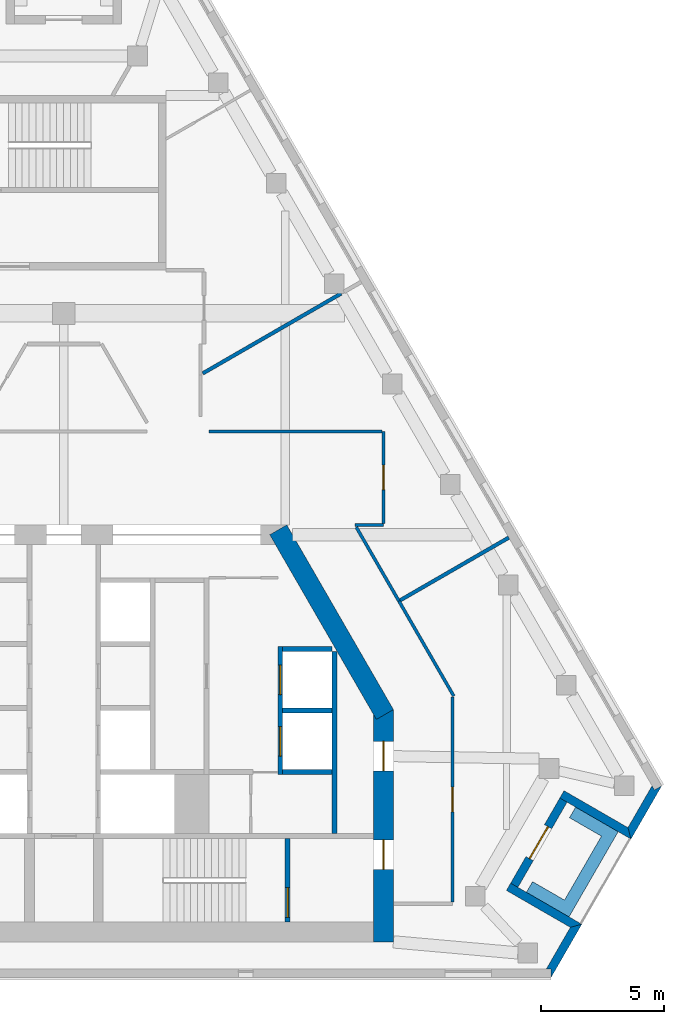
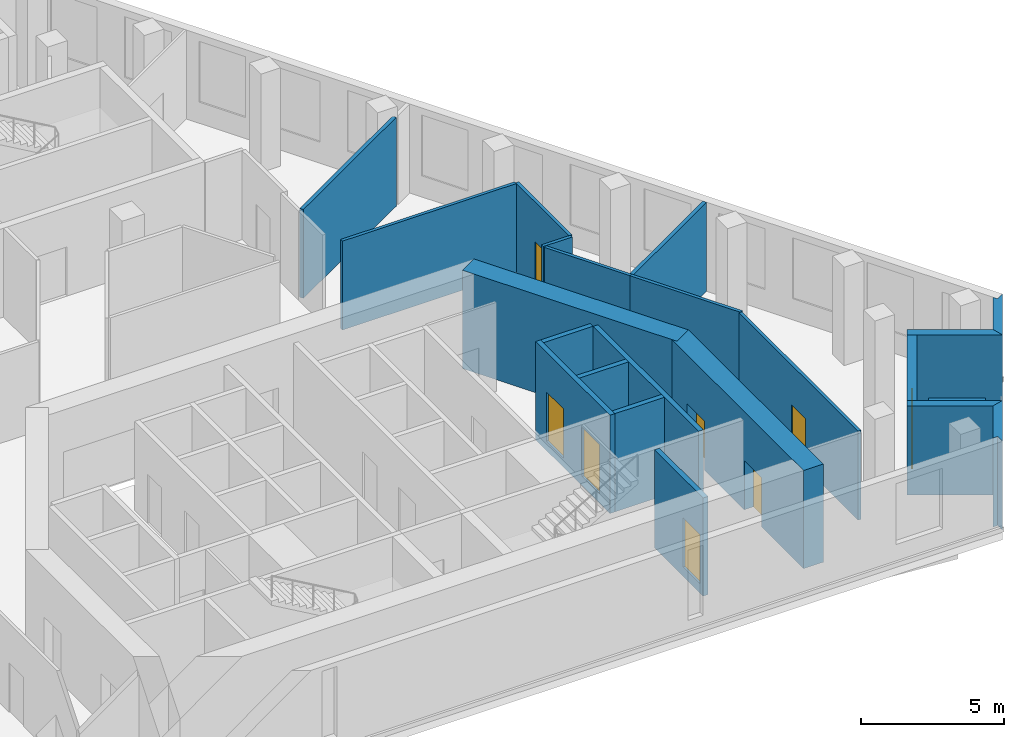
# One storey, part 5 of 8: 22 walls, 8 doors, 8 openings.
"""IFC4 building model written with IfcOpenShell, lengths in metres."""

import ifcopenshell
import ifcopenshell.guid

model = None  # the IFC model being written
_history = None  # IfcOwnerHistory: only IFC2X3 demands one
_inside = {}  # id of a spatial element -> (the spatial element, [elements in it])
_under = {}  # id of a project, library or spatial element -> (it, [spatial elements below it])
_declared = {}  # id of a project -> (the project, [libraries it declares])
_typed = {}  # id of a type object -> (the type object, [elements of that type])
_made_of = {}  # id of a material, layer set ... -> (it, [elements and type objects made of it])


def new_model(schema):
    """Start an empty IFC model of exactly this schema.

    Asked for "IFC4X3", IfcOpenShell would pick the latest addendum, in which some entities
    have other attributes; the version numbers below select the first issue.
    IFC2X3 requires an IfcOwnerHistory on every rooted entity: one is made here for all.
    """
    global model, _history
    if schema == "IFC4X3":
        model = ifcopenshell.file(schema_version=(4, 3, 0, 0))
    else:
        model = ifcopenshell.file(schema=schema)
    _inside.clear()
    _under.clear()
    _declared.clear()
    _typed.clear()
    _made_of.clear()
    _history = None
    if model.schema == "IFC2X3":
        org = make("IfcOrganization", Name="unknown")
        user = make(
            "IfcPersonAndOrganization",
            ThePerson=make("IfcPerson", FamilyName="unknown"),
            TheOrganization=org,
        )
        app = make(
            "IfcApplication",
            ApplicationDeveloper=org,
            Version="unknown",
            ApplicationFullName="unknown",
            ApplicationIdentifier="unknown",
        )
        _history = make(
            "IfcOwnerHistory",
            OwningUser=user,
            OwningApplication=app,
            ChangeAction="ADDED",
            CreationDate=0,
        )
    return model


def make(cls, **values):
    """One entity of the class cls with the attributes given. An attribute that is None is left unset."""
    return model.create_entity(
        cls, **{name: value for name, value in values.items() if value is not None}
    )


def rooted(cls, **values):
    """An entity with a GlobalId (a new one), such as an element, a storey or a relation."""
    return make(cls, GlobalId=ifcopenshell.guid.new(), OwnerHistory=_history, **values)


def si_unit(unit_type, name, prefix=None):
    """IfcSIUnit, for example si_unit("LENGTHUNIT", "METRE", prefix="MILLI")."""
    return make("IfcSIUnit", UnitType=unit_type, Prefix=prefix, Name=name)


def assignment(units):
    """IfcUnitAssignment: the units of a project."""
    return None if units is None else make("IfcUnitAssignment", Units=units)


def point(xyz):
    """IfcCartesianPoint."""
    return None if xyz is None else make("IfcCartesianPoint", Coordinates=xyz)


def direction(xyz):
    """IfcDirection."""
    return None if xyz is None else make("IfcDirection", DirectionRatios=xyz)


def frame(location, z_axis=None, x_axis=None):
    """IfcAxis2Placement3D, a coordinate frame: its origin and axes. An axis left out is left unset."""
    return make(
        "IfcAxis2Placement3D",
        Location=point(location),
        Axis=direction(z_axis),
        RefDirection=direction(x_axis),
    )


def frame_2d(location, x_axis=None):
    """IfcAxis2Placement2D, a coordinate frame in the plane: its origin and x axis."""
    return make(
        "IfcAxis2Placement2D", Location=point(location), RefDirection=direction(x_axis)
    )


def origin():
    """The frame at (0, 0, 0) with its axes left unset."""
    return frame((0.0, 0.0, 0.0))


def place(relative_to, where):
    """IfcLocalPlacement: puts the frame where relative to a parent placement (None: the world)."""
    return make(
        "IfcLocalPlacement", PlacementRelTo=relative_to, RelativePlacement=where
    )


def context(
    kind, dimensions, precision=None, world=None, true_north=None, identifier=None
):
    """IfcGeometricRepresentationContext, for example the 3D "Model" context."""
    return make(
        "IfcGeometricRepresentationContext",
        ContextIdentifier=identifier,
        ContextType=kind,
        CoordinateSpaceDimension=dimensions,
        Precision=precision,
        WorldCoordinateSystem=world,
        TrueNorth=true_north,
    )


def subcontext(parent, identifier, kind, view, scale=None):
    """IfcGeometricRepresentationSubContext, for example "Body" below "Model"."""
    return make(
        "IfcGeometricRepresentationSubContext",
        ContextIdentifier=identifier,
        ContextType=kind,
        ParentContext=parent,
        TargetScale=scale,
        TargetView=view,
    )


def project(units=None, contexts=None):
    """IfcProject with its units and contexts."""
    return rooted(
        "IfcProject",
        Name="project",
        RepresentationContexts=contexts,
        UnitsInContext=assignment(units),
    )


def spatial(cls, under=None, at=None, **own):
    """A site, building, storey or space (cls), placed at a placement, below another one or the project."""
    s = rooted(cls, ObjectPlacement=at, **own)
    if under is not None:
        _under.setdefault(under.id(), (under, []))[1].append(s)
    return s


def polyline(points):
    """IfcPolyline through the points."""
    return make("IfcPolyline", Points=[point(p) for p in points])


def profile(cls, at=None, kind="AREA", **sizes):
    """A parametric profile (cls). Its sizes go by their IFC names, for example OverallWidth=200.0."""
    return make(cls, ProfileType=kind, Position=at, **sizes)


def rectangle(**sizes):
    """IfcRectangleProfileDef."""
    return profile("IfcRectangleProfileDef", **sizes)


def outline(outer, holes=None, kind="AREA"):
    """IfcArbitraryClosedProfileDef: a profile drawn as a closed curve; with holes, ...WithVoids."""
    if holes is None:
        return make("IfcArbitraryClosedProfileDef", ProfileType=kind, OuterCurve=outer)
    return make(
        "IfcArbitraryProfileDefWithVoids",
        ProfileType=kind,
        OuterCurve=outer,
        InnerCurves=holes,
    )


def extrude(swept, where, along, depth):
    """IfcExtrudedAreaSolid: the profile swept, set in the frame where, extruded along a direction by depth."""
    return make(
        "IfcExtrudedAreaSolid",
        SweptArea=swept,
        Position=where,
        ExtrudedDirection=direction(along),
        Depth=depth,
    )


def shape(context_of_items, identifier, shape_type, items):
    """IfcShapeRepresentation: the items that make up one representation, for example the "Body"."""
    return make(
        "IfcShapeRepresentation",
        ContextOfItems=context_of_items,
        RepresentationIdentifier=identifier,
        RepresentationType=shape_type,
        Items=items,
    )


def material(Name=None, Category=None):
    """IfcMaterial."""
    return make("IfcMaterial", Name=Name, Category=Category)


def layer(
    of_material, thickness, ventilated=None, Name=None, Category=None, Priority=None
):
    """IfcMaterialLayer: one layer of a wall or slab, of a material (None: an air gap)."""
    return make(
        "IfcMaterialLayer",
        Material=of_material,
        LayerThickness=thickness,
        IsVentilated=ventilated,
        Name=Name,
        Category=Category,
        Priority=Priority,
    )


def layer_set(layers, Name=None):
    """IfcMaterialLayerSet."""
    return make("IfcMaterialLayerSet", MaterialLayers=layers, LayerSetName=Name)


def made_of(thing, what):
    """Note that an element or type object is made of a material, layer set ...; save() writes the relation."""
    if what is not None:
        _made_of.setdefault(what.id(), (what, []))[1].append(thing)
    return thing


def type_object(cls, material=None, **own):
    """A type object (cls), such as IfcWallType, which elements share."""
    return made_of(rooted(cls, **own), material)


def element(
    cls,
    number,
    at=None,
    inside=None,
    cuts=None,
    type_object=None,
    material=None,
    context=None,
    identifier="Body",
    shape_type=None,
    held_by="IfcProductDefinitionShape",
    body=None,
    shapes=None,
    **own,
):
    """One element of the class cls, such as IfcWall. Its Tag is "e" and its number.

    at: its placement. inside: the storey or other place that contains it. cuts: it is an
    opening in that element (IfcRelVoidsElement). A single representation is given by context,
    identifier, shape_type and body (its items); several are given by shapes. held_by: the class
    of the entity that holds the representations. save() writes the other relations.
    """
    e = rooted(cls, Tag="e%d" % number, ObjectPlacement=at, **own)
    if body is not None:
        shapes = [shape(context, identifier, shape_type, body)]
    if shapes is not None:
        e.Representation = make(held_by, Representations=shapes)
    if inside is not None:
        _inside.setdefault(inside.id(), (inside, []))[1].append(e)
    if cuts is not None:
        rooted(
            "IfcRelVoidsElement", RelatingBuildingElement=cuts, RelatedOpeningElement=e
        )
    if type_object is not None:
        _typed.setdefault(type_object.id(), (type_object, []))[1].append(e)
    return made_of(e, material)


def fill(opening, filler):
    """IfcRelFillsElement: the door or window that sits in an opening."""
    return rooted(
        "IfcRelFillsElement",
        RelatingOpeningElement=opening,
        RelatedBuildingElement=filler,
    )


def aggregate(whole, parts):
    """IfcRelAggregates: a whole, such as a stair, and the parts it consists of."""
    return rooted("IfcRelAggregates", RelatingObject=whole, RelatedObjects=parts)


def save(model, path):
    """Write the relations noted so far, then the file.

    IfcRelAggregates (storeys below a building ...), IfcRelContainedInSpatialStructure (elements
    in a storey), IfcRelDefinesByType, IfcRelAssociatesMaterial and IfcRelDeclares: one each for
    every whole, place, type object, material and project.
    """
    for whole, parts in _under.values():
        aggregate(whole, parts)
    for where, things in _inside.values():
        rooted(
            "IfcRelContainedInSpatialStructure",
            RelatedElements=things,
            RelatingStructure=where,
        )
    for kind, things in _typed.values():
        rooted("IfcRelDefinesByType", RelatedObjects=things, RelatingType=kind)
    for what, things in _made_of.values():
        rooted("IfcRelAssociatesMaterial", RelatedObjects=things, RelatingMaterial=what)
    for by, libraries in _declared.values():
        rooted("IfcRelDeclares", RelatingContext=by, RelatedDefinitions=libraries)
    model.write(path)


model = new_model("IFC4")

# Units and contexts
model_context = context("Model", 3, precision=1e-05, world=origin(), true_north=direction((0.0, 1.0)))
body_context = subcontext(model_context, "Body", "Model", "MODEL_VIEW")
ifc_project = project(units=[si_unit("LENGTHUNIT", "METRE"), si_unit("AREAUNIT", "SQUARE_METRE"), si_unit("VOLUMEUNIT", "CUBIC_METRE"), si_unit("PLANEANGLEUNIT", "RADIAN"), si_unit("MASSUNIT", "GRAM", prefix="KILO")], contexts=[model_context])

# Site, building, storey
site_placement = place(None, origin())
site = spatial("IfcSite", under=ifc_project, at=site_placement, CompositionType="ELEMENT")
building_placement = place(site_placement, origin())
building = spatial("IfcBuilding", under=site, at=building_placement, Name="Fogline Exchange Tower", CompositionType="ELEMENT")
storey_placement = place(building_placement, frame((0.0, 0.0, 322.5)))
storey = spatial("IfcBuildingStorey", under=building, at=storey_placement, Name="L73", CompositionType="ELEMENT", Elevation=322.5)

# Wall
ifc_material_1 = material(Name="Concrete C40", Category="concrete")
ifc_layer_1 = layer(ifc_material_1, 0.199951171875)
ifc_layer_set_1 = layer_set([ifc_layer_1], Name="CW20")
wall_type_1 = type_object("IfcWallType", Name="CW20", PredefinedType="SOLIDWALL", material=ifc_layer_set_1)
wall_1_placement = place(storey_placement, frame((11.0, 5.85009765625, 0.0), z_axis=(0.0, 0.0, 1.0), x_axis=(0.0, 1.0, 0.0)))
element("IfcWall", 1, at=wall_1_placement, inside=storey, type_object=wall_type_1, Name="Service room wall", PredefinedType="SOLIDWALL", context=body_context, shape_type="SweptSolid", body=[
    extrude(rectangle(XDim=7.39990234375, YDim=0.199951171875, at=frame_2d((3.699951171875, 0.0))), origin(), (0.0, 0.0, 1.0), 3.800048828125),
])

# Wall, opening, door
ifc_layer_2 = layer(ifc_material_1, 0.199951171875)
ifc_layer_set_2 = layer_set([ifc_layer_2], Name="CW20R")
wall_type_2 = type_object("IfcWallType", Name="CW20R", PredefinedType="SOLIDWALL", material=ifc_layer_set_2)
wall_2_placement = place(storey_placement, frame((9.10009765625, 2.25, -0.39990234375), z_axis=(0.0, 0.0, 1.0), x_axis=(0.0, 1.0, 0.0)))
wall_2 = element("IfcWall", 2, at=wall_2_placement, inside=storey, type_object=wall_type_2, Name="Stair enclosure wall", PredefinedType="SOLIDWALL", context=body_context, shape_type="SweptSolid", body=[
    extrude(rectangle(XDim=3.39990234375, YDim=0.199951171875, at=frame_2d((1.699951171875, 0.0))), origin(), (0.0, 0.0, 1.0), 4.199951171875),
])
opening_1_placement = place(wall_2_placement, frame((0.199951171875, 0.0, 0.39990234375)))
opening_1 = element("IfcOpeningElement", 3, at=opening_1_placement, cuts=wall_2, Name="Opening T23-C021", PredefinedType="OPENING", context=body_context, shape_type="SweptSolid", body=[
    extrude(rectangle(XDim=1.199951171875, YDim=2.10009765625, at=frame_2d((0.60009765625, 1.050048828125))), frame((0.0, 0.10986328125, 0.0), z_axis=(0.0, -1.0, 0.0), x_axis=(1.0, 0.0, 0.0)), (0.0, 0.0, 1.0), 0.219970703125),
])
ifc_material_2 = material(Name="Steel and timber fire door", Category="steel")
door_type_1 = type_object("IfcDoorType", Name="D-ST1", OperationType="SINGLE_SWING_LEFT", PredefinedType="DOOR", material=ifc_material_2)
door_1_placement = place(opening_1_placement, origin())
door_1 = element("IfcDoor", 4, at=door_1_placement, inside=storey, type_object=door_type_1, Name="Stair door ST2", OperationType="SINGLE_SWING_LEFT", OverallHeight=2.10009765625, OverallWidth=1.199951171875, PredefinedType="DOOR", context=body_context, shape_type="SweptSolid", body=[
    extrude(rectangle(XDim=1.199951171875, YDim=2.10009765625, at=frame_2d((0.60009765625, 1.050048828125))), frame((0.0, 0.02490234375, 0.0), z_axis=(0.0, -1.0, 0.0), x_axis=(1.0, 0.0, 0.0)), (0.0, 0.0, 1.0), 0.050048828125),
])
fill(opening_1, door_1)

# Wall, openings, doors
ifc_layer_3 = layer(ifc_material_1, 0.199951171875)
ifc_layer_set_3 = layer_set([ifc_layer_3], Name="CW20S")
wall_type_3 = type_object("IfcWallType", Name="CW20S", PredefinedType="SOLIDWALL", material=ifc_layer_set_3)
wall_3_placement = place(storey_placement, frame((8.800048828125, 8.25, -0.39990234375), z_axis=(0.0, 0.0, 1.0), x_axis=(0.0, 1.0, 0.0)))
wall_3 = element("IfcWall", 5, at=wall_3_placement, inside=storey, type_object=wall_type_3, Name="Lift shaft wall", PredefinedType="SOLIDWALL", context=body_context, shape_type="SweptSolid", body=[
    extrude(rectangle(XDim=5.199951171875, YDim=0.199951171875, at=frame_2d((2.60009765625, 0.0))), origin(), (0.0, 0.0, 1.0), 4.199951171875),
])
opening_2_placement = place(wall_3_placement, frame((0.75, 0.0, 0.39990234375)))
opening_2 = element("IfcOpeningElement", 6, at=opening_2_placement, cuts=wall_3, Name="Opening T23-LD02", PredefinedType="OPENING", context=body_context, shape_type="SweptSolid", body=[
    extrude(rectangle(XDim=1.199951171875, YDim=2.10009765625, at=frame_2d((0.60009765625, 1.050048828125))), frame((0.0, 0.10986328125, 0.0), z_axis=(0.0, -1.0, 0.0), x_axis=(1.0, 0.0, 0.0)), (0.0, 0.0, 1.0), 0.219970703125),
])
opening_3_placement = place(wall_3_placement, frame((3.25, 0.0, 0.39990234375)))
opening_3 = element("IfcOpeningElement", 7, at=opening_3_placement, cuts=wall_3, Name="Opening T23-LD03", PredefinedType="OPENING", context=body_context, shape_type="SweptSolid", body=[
    extrude(rectangle(XDim=1.199951171875, YDim=2.10009765625, at=frame_2d((0.60009765625, 1.050048828125))), frame((0.0, 0.10986328125, 0.0), z_axis=(0.0, -1.0, 0.0), x_axis=(1.0, 0.0, 0.0)), (0.0, 0.0, 1.0), 0.219970703125),
])
door_type_2 = type_object("IfcDoorType", Name="LD1", OperationType="SLIDING_TO_LEFT", PredefinedType="DOOR", material=ifc_material_2)
door_2_placement = place(opening_2_placement, origin())
door_2 = element("IfcDoor", 8, at=door_2_placement, inside=storey, type_object=door_type_2, Name="Landing door HR1", OperationType="SLIDING_TO_LEFT", OverallHeight=2.10009765625, OverallWidth=1.199951171875, PredefinedType="DOOR", context=body_context, shape_type="SweptSolid", body=[
    extrude(rectangle(XDim=1.199951171875, YDim=2.10009765625, at=frame_2d((0.60009765625, 1.050048828125))), frame((0.0, 0.02490234375, 0.0), z_axis=(0.0, -1.0, 0.0), x_axis=(1.0, 0.0, 0.0)), (0.0, 0.0, 1.0), 0.050048828125),
])
fill(opening_2, door_2)
door_3_placement = place(opening_3_placement, origin())
door_3 = element("IfcDoor", 9, at=door_3_placement, inside=storey, type_object=door_type_2, Name="Landing door HR2", OperationType="SLIDING_TO_LEFT", OverallHeight=2.10009765625, OverallWidth=1.199951171875, PredefinedType="DOOR", context=body_context, shape_type="SweptSolid", body=[
    extrude(rectangle(XDim=1.199951171875, YDim=2.10009765625, at=frame_2d((0.60009765625, 1.050048828125))), frame((0.0, 0.02490234375, 0.0), z_axis=(0.0, -1.0, 0.0), x_axis=(1.0, 0.0, 0.0)), (0.0, 0.0, 1.0), 0.050048828125),
])
fill(opening_3, door_3)

# Walls
for number, where, z_axis, x_axis, name in (
    (10, (8.89990234375, 8.35009765625, -0.39990234375), (0.0, 0.0, 1.0), (1.0, 0.0, 0.0), "Lift shaft wall"),
    (11, (8.89990234375, 10.85009765625, -0.39990234375), (0.0, 0.0, 1.0), (1.0, 0.0, 0.0), "Lift shaft wall"),
    (12, (8.89990234375, 13.35009765625, -0.39990234375), (0.0, 0.0, 1.0), (1.0, 0.0, 0.0), "Lift shaft wall"),
):
    element("IfcWall", number, at=place(storey_placement, frame(where, z_axis=z_axis, x_axis=x_axis)), inside=storey, type_object=wall_type_3, Name=name, PredefinedType="SOLIDWALL", context=body_context, shape_type="SweptSolid", body=[
        extrude(rectangle(XDim=2.0, YDim=0.199951171875, at=frame_2d((1.0, 0.0))), origin(), (0.0, 0.0, 1.0), 4.199951171875),
    ])
ifc_material_3 = material(Name="Brick masonry", Category="masonry")
ifc_layer_4 = layer(ifc_material_3, 0.340087890625)
ifc_layer_set_4 = layer_set([ifc_layer_4], Name="FW1")
wall_type_4 = type_object("IfcWallType", Name="FW1", PredefinedType="SOLIDWALL", material=ifc_layer_set_4)
wall_4_placement = place(storey_placement, origin())
element("IfcWall", 13, at=wall_4_placement, inside=storey, type_object=wall_type_4, Name="Brick wall L73 SE-c1", PredefinedType="SOLIDWALL", context=body_context, shape_type="SweptSolid", body=[
    extrude(outline(polyline([(21.058349609375, 2.165771484375), (19.807373046875, -0.001220703125), (19.806884765625, -0.0009765625), (19.806884765625, 0.33935546875), (19.610107421875, 0.33935546875), (20.592529296875, 2.041015625), (21.058349609375, 2.166015625), (21.058349609375, 2.165771484375)])), origin(), (0.0, 0.0, 1.0), 3.800048828125),
])
wall_5_placement = place(storey_placement, origin())
element("IfcWall", 14, at=wall_5_placement, inside=storey, type_object=wall_type_4, Name="Brick wall L73 SE-s1", PredefinedType="SOLIDWALL", context=body_context, shape_type="SweptSolid", body=[
    extrude(outline(polyline([(17.994140625, 3.540283203125), (18.16455078125, 3.8359375), (18.459716796875, 3.66552734375), (21.05859375, 2.1650390625), (21.05859375, 2.164794921875), (20.5927734375, 2.0400390625), (17.994140625, 3.540283203125)])), origin(), (0.0, 0.0, 1.0), 3.800048828125),
])

# Wall, opening, door
wall_6_placement = place(storey_placement, frame((18.31201171875, 3.75, 0.0), z_axis=(0.0, 0.0, 1.0), x_axis=(0.49999894854, 0.866026010844, 0.0)))
wall_6 = element("IfcWall", 15, at=wall_6_placement, inside=storey, type_object=wall_type_4, Name="Brick wall L73 SE-bk", PredefinedType="SOLIDWALL", context=body_context, shape_type="SweptSolid", body=[
    extrude(rectangle(XDim=4.0, YDim=0.340087890625, at=frame_2d((2.0, 0.0))), origin(), (0.0, 0.0, 1.0), 3.800048828125),
])
opening_4_placement = place(wall_6_placement, frame((1.25, 0.0, 0.0)))
opening_4 = element("IfcOpeningElement", 16, at=opening_4_placement, cuts=wall_6, Name="Opening T23-E081", PredefinedType="OPENING", context=body_context, shape_type="SweptSolid", body=[
    extrude(rectangle(XDim=1.5, YDim=2.39990234375, at=frame_2d((0.75, 1.199951171875))), frame((0.0, 0.18017578125, 0.0), z_axis=(0.0, -1.0, 0.0), x_axis=(1.0, 0.0, 0.0)), (0.0, 0.0, 1.0), 0.360107421875),
])
ifc_material_4 = material(Name="Aluminium and glass", Category="aluminium")
door_type_3 = type_object("IfcDoorType", Name="ED4", OperationType="SINGLE_SWING_LEFT", PredefinedType="DOOR", material=ifc_material_4)
door_4_placement = place(opening_4_placement, frame((1.5, 0.0, 0.0), z_axis=(0.0, 0.0, 1.0), x_axis=(-1.0, 0.0, 0.0)))
door_4 = element("IfcDoor", 17, at=door_4_placement, inside=storey, type_object=door_type_3, Name="Balcony door L73 SE", OperationType="DOUBLE_DOOR_SINGLE_SWING", OverallHeight=2.39990234375, OverallWidth=1.5, PredefinedType="DOOR", context=body_context, shape_type="SweptSolid", body=[
    extrude(rectangle(XDim=1.5, YDim=2.39990234375, at=frame_2d((0.75, 1.199951171875))), frame((0.0, 0.02490234375, 0.0), z_axis=(0.0, -1.0, 0.0), x_axis=(1.0, 0.0, 0.0)), (0.0, 0.0, 1.0), 0.050048828125),
])
fill(opening_4, door_4)

# Walls
wall_7_placement = place(storey_placement, origin())
element("IfcWall", 18, at=wall_7_placement, inside=storey, type_object=wall_type_4, Name="Brick wall L73 SE-s2", PredefinedType="SOLIDWALL", context=body_context, shape_type="SweptSolid", body=[
    extrude(outline(polyline([(23.05810546875, 5.628173828125), (20.458984375, 7.128662109375), (20.1640625, 7.298828125), (20.334716796875, 7.594482421875), (22.933349609375, 6.093994140625), (23.058349609375, 5.62841796875), (23.05810546875, 5.628173828125)])), origin(), (0.0, 0.0, 1.0), 3.800048828125),
])
wall_8_placement = place(storey_placement, origin())
element("IfcWall", 19, at=wall_8_placement, inside=storey, type_object=wall_type_4, Name="Brick wall L73 SE-c2", PredefinedType="SOLIDWALL", context=body_context, shape_type="SweptSolid", body=[
    extrude(outline(polyline([(23.914794921875, 7.79541015625), (24.01318359375, 7.625), (24.30810546875, 7.79541015625), (24.308349609375, 7.794921875), (23.057373046875, 5.6279296875), (23.05712890625, 5.6279296875), (22.932373046875, 6.09375), (23.914794921875, 7.79541015625)])), origin(), (0.0, 0.0, 1.0), 3.800048828125),
])
ifc_material_5 = material(Name="Concrete C30", Category="concrete")
ifc_layer_5 = layer(ifc_material_5, 0.199951171875)
ifc_layer_set_5 = layer_set([ifc_layer_5], Name="PL1")
wall_type_5 = type_object("IfcWallType", Name="PL1", PredefinedType="USERDEFINED", material=ifc_layer_set_5)
wall_9_placement = place(storey_placement, origin())
element("IfcWall", 20, at=wall_9_placement, inside=storey, type_object=wall_type_5, Name="PLANTER balcony L73 SE", ObjectType="PLANTER", PredefinedType="USERDEFINED", context=body_context, shape_type="SweptSolid", body=[
    extrude(outline(polyline([(18.8056640625, 3.465087890625), (20.104736328125, 2.715087890625), (20.104736328125, 2.715087890625), (20.537841796875, 2.465087890625), (22.287841796875, 5.49609375), (22.537841796875, 5.92919921875), (20.8056640625, 6.92919921875), (20.5556640625, 6.49609375), (21.854736328125, 5.74609375), (20.354736328125, 3.148193359375), (19.0556640625, 3.898193359375), (18.8056640625, 3.465087890625)])), origin(), (0.0, 0.0, 1.0), 1.10009765625),
])
ifc_material_6 = material(Name="Plasterboard corridor partition with mineral wool, 2 layers each side")
ifc_layer_6 = layer(ifc_material_6, 0.125)
ifc_layer_set_6 = layer_set([ifc_layer_6], Name="PW2")
wall_type_6 = type_object("IfcWallType", Name="PW2", PredefinedType="PARTITIONING", material=ifc_layer_set_6)
wall_10_placement = place(storey_placement, frame((11.890869140625, 18.305908203125, 0.0), z_axis=(0.0, 0.0, 1.0), x_axis=(0.499980616072, -0.866036594811, 0.0)))
element("IfcWall", 21, at=wall_10_placement, inside=storey, type_object=wall_type_6, Name="wall-L73-W001", PredefinedType="PARTITIONING", context=body_context, shape_type="SweptSolid", body=[
    extrude(rectangle(XDim=3.465576171875, YDim=0.125, at=frame_2d((1.73291015625, 0.0))), origin(), (0.0, 0.0, 1.0), 3.800048828125),
])
wall_11_placement = place(storey_placement, frame((13.62353515625, 15.3046875, 0.0), z_axis=(0.0, 0.0, 1.0), x_axis=(0.499994034198, -0.866028848114, 0.0)))
element("IfcWall", 22, at=wall_11_placement, inside=storey, type_object=wall_type_6, Name="wall-L73-W002", PredefinedType="PARTITIONING", context=body_context, shape_type="SweptSolid", body=[
    extrude(rectangle(XDim=4.46142578125, YDim=0.125, at=frame_2d((2.230712890625, 0.0))), origin(), (0.0, 0.0, 1.0), 3.800048828125),
])

# Wall, opening, door
wall_12_placement = place(storey_placement, frame((15.800048828125, 11.409912109375, 0.0), z_axis=(0.0, 0.0, 1.0), x_axis=(0.0, -1.0, 0.0)))
wall_12 = element("IfcWall", 23, at=wall_12_placement, inside=storey, type_object=wall_type_6, Name="wall-L73-W003", PredefinedType="PARTITIONING", context=body_context, shape_type="SweptSolid", body=[
    extrude(rectangle(XDim=8.347412109375, YDim=0.125, at=frame_2d((4.173828125, 0.0))), origin(), (0.0, 0.0, 1.0), 3.800048828125),
])
opening_5_placement = place(wall_12_placement, frame((3.673583984375, 0.0, 0.0)))
opening_5 = element("IfcOpeningElement", 24, at=opening_5_placement, cuts=wall_12, Name="Opening T23-D001", PredefinedType="OPENING", context=body_context, shape_type="SweptSolid", body=[
    extrude(rectangle(XDim=1.0, YDim=2.10009765625, at=frame_2d((0.5, 1.050048828125))), frame((0.0, 0.072509765625, 0.0), z_axis=(0.0, -1.0, 0.0), x_axis=(1.0, 0.0, 0.0)), (0.0, 0.0, 1.0), 0.14501953125),
])
ifc_material_7 = material(Name="Fire-rated timber door leaf with steel frame", Category="steel")
door_type_4 = type_object("IfcDoorType", Name="D3", OperationType="SINGLE_SWING_LEFT", PredefinedType="DOOR", material=ifc_material_7)
door_5_placement = place(opening_5_placement, origin())
door_5 = element("IfcDoor", 25, at=door_5_placement, inside=storey, type_object=door_type_4, Name="door-L73-D001", OperationType="SINGLE_SWING_RIGHT", OverallHeight=2.10009765625, OverallWidth=1.0, PredefinedType="DOOR", context=body_context, shape_type="SweptSolid", body=[
    extrude(rectangle(XDim=1.0, YDim=2.10009765625, at=frame_2d((0.5, 1.050048828125))), frame((0.0, 0.02490234375, 0.0), z_axis=(0.0, -1.0, 0.0), x_axis=(1.0, 0.0, 0.0)), (0.0, 0.0, 1.0), 0.050048828125),
])
fill(opening_5, door_5)

# Wall
wall_13_placement = place(storey_placement, frame((5.898193359375, 22.199951171875, 0.0), z_axis=(0.0, 0.0, 1.0), x_axis=(1.0, 0.0, 0.0)))
element("IfcWall", 26, at=wall_13_placement, inside=storey, type_object=wall_type_6, Name="wall-L73-W005", PredefinedType="PARTITIONING", context=body_context, shape_type="SweptSolid", body=[
    extrude(rectangle(XDim=7.039306640625, YDim=0.125, at=frame_2d((3.51953125, 0.0))), origin(), (0.0, 0.0, 1.0), 3.800048828125),
])

# Wall, opening, door
wall_14_placement = place(storey_placement, frame((13.0, 22.199951171875, 0.0), z_axis=(0.0, 0.0, 1.0), x_axis=(0.0, -1.0, 0.0)))
wall_14 = element("IfcWall", 27, at=wall_14_placement, inside=storey, type_object=wall_type_6, Name="wall-L73-W006", PredefinedType="PARTITIONING", context=body_context, shape_type="SweptSolid", body=[
    extrude(rectangle(XDim=3.737548828125, YDim=0.125, at=frame_2d((1.86865234375, 0.0))), origin(), (0.0, 0.0, 1.0), 3.800048828125),
])
opening_6_placement = place(wall_14_placement, frame((1.368896484375, 0.0, 0.0)))
opening_6 = element("IfcOpeningElement", 28, at=opening_6_placement, cuts=wall_14, Name="Opening T23-D002", PredefinedType="OPENING", context=body_context, shape_type="SweptSolid", body=[
    extrude(rectangle(XDim=1.0, YDim=2.10009765625, at=frame_2d((0.5, 1.050048828125))), frame((0.0, 0.072509765625, 0.0), z_axis=(0.0, -1.0, 0.0), x_axis=(1.0, 0.0, 0.0)), (0.0, 0.0, 1.0), 0.14501953125),
])
door_6_placement = place(opening_6_placement, origin())
door_6 = element("IfcDoor", 29, at=door_6_placement, inside=storey, type_object=door_type_4, Name="door-L73-D002", OperationType="SINGLE_SWING_LEFT", OverallHeight=2.10009765625, OverallWidth=1.0, PredefinedType="DOOR", context=body_context, shape_type="SweptSolid", body=[
    extrude(rectangle(XDim=1.0, YDim=2.10009765625, at=frame_2d((0.5, 1.050048828125))), frame((0.0, 0.02490234375, 0.0), z_axis=(0.0, -1.0, 0.0), x_axis=(1.0, 0.0, 0.0)), (0.0, 0.0, 1.0), 0.050048828125),
])
fill(opening_6, door_6)

# Walls
wall_15_placement = place(storey_placement, frame((13.0, 18.39990234375, 0.0), z_axis=(0.0, 0.0, 1.0), x_axis=(-1.0, 0.0, 0.0)))
element("IfcWall", 30, at=wall_15_placement, inside=storey, type_object=wall_type_6, Name="wall-L73-W007", PredefinedType="PARTITIONING", context=body_context, shape_type="SweptSolid", body=[
    extrude(rectangle(XDim=1.16357421875, YDim=0.125, at=frame_2d((0.581787109375, 0.0))), origin(), (0.0, 0.0, 1.0), 3.800048828125),
])
ifc_material_8 = material(Name="Plasterboard demising partition with mineral wool and acoustic board")
ifc_layer_7 = layer(ifc_material_8, 0.14990234375)
ifc_layer_set_7 = layer_set([ifc_layer_7], Name="PW3")
wall_type_7 = type_object("IfcWallType", Name="PW3", PredefinedType="PARTITIONING", material=ifc_layer_set_7)
wall_16_placement = place(storey_placement, frame((5.650390625, 24.557861328125, 0.0), z_axis=(0.0, 0.0, 1.0), x_axis=(0.866046129401, 0.49996410046, 0.0)))
element("IfcWall", 31, at=wall_16_placement, inside=storey, type_object=wall_type_7, Name="wall-L73-W027", PredefinedType="PARTITIONING", context=body_context, shape_type="SweptSolid", body=[
    extrude(rectangle(XDim=6.5009765625, YDim=0.14990234375, at=frame_2d((3.25048828125, 0.0))), origin(), (0.0, 0.0, 1.0), 3.800048828125),
])
wall_17_placement = place(storey_placement, frame((18.08984375, 17.88330078125, 0.0), z_axis=(0.0, 0.0, 1.0), x_axis=(-0.866034770228, -0.499983776493, 0.0)))
element("IfcWall", 32, at=wall_17_placement, inside=storey, type_object=wall_type_7, Name="wall-L73-W029", PredefinedType="PARTITIONING", context=body_context, shape_type="SweptSolid", body=[
    extrude(rectangle(XDim=5.094970703125, YDim=0.14990234375, at=frame_2d((2.54736328125, 0.0))), origin(), (0.0, 0.0, 1.0), 3.800048828125),
])

# Wall, openings, doors
ifc_material_9 = material(Name="Concrete C50", Category="concrete")
ifc_layer_8 = layer(ifc_material_9, 0.800048828125)
ifc_layer_set_8 = layer_set([ifc_layer_8], Name="SW04")
wall_type_8 = type_object("IfcWallType", Name="SW04", PredefinedType="SHEAR", material=ifc_layer_set_8)
wall_18_placement = place(storey_placement, frame((13.0, 1.449951171875, 0.0), z_axis=(0.0, 0.0, 1.0), x_axis=(0.0, 1.0, 0.0)))
wall_18 = element("IfcWall", 33, at=wall_18_placement, inside=storey, type_object=wall_type_8, Name="L73-W902", PredefinedType="SHEAR", context=body_context, shape_type="SweptSolid", body=[
    extrude(rectangle(XDim=9.44189453125, YDim=0.800048828125, at=frame_2d((4.720947265625, 0.0))), origin(), (0.0, 0.0, 1.0), 4.199951171875),
])
opening_7_placement = place(wall_18_placement, frame((2.949951171875, 0.0, 0.0)))
opening_7 = element("IfcOpeningElement", 34, at=opening_7_placement, cuts=wall_18, Name="Opening T23-C020", PredefinedType="OPENING", context=body_context, shape_type="SweptSolid", body=[
    extrude(rectangle(XDim=1.199951171875, YDim=2.10009765625, at=frame_2d((0.60009765625, 1.050048828125))), frame((0.0, 0.41015625, 0.0), z_axis=(0.0, -1.0, 0.0), x_axis=(1.0, 0.0, 0.0)), (0.0, 0.0, 1.0), 0.820068359375),
])
opening_8_placement = place(wall_18_placement, frame((6.949951171875, 0.0, 0.0)))
opening_8 = element("IfcOpeningElement", 35, at=opening_8_placement, cuts=wall_18, Name="Opening T23-C022", PredefinedType="OPENING", context=body_context, shape_type="SweptSolid", body=[
    extrude(rectangle(XDim=1.199951171875, YDim=2.10009765625, at=frame_2d((0.60009765625, 1.050048828125))), frame((0.0, 0.41015625, 0.0), z_axis=(0.0, -1.0, 0.0), x_axis=(1.0, 0.0, 0.0)), (0.0, 0.0, 1.0), 0.820068359375),
])
door_type_5 = type_object("IfcDoorType", Name="D-FR1", OperationType="SINGLE_SWING_RIGHT", PredefinedType="DOOR", material=ifc_material_2)
door_7_placement = place(opening_7_placement, origin())
door_7 = element("IfcDoor", 36, at=door_7_placement, inside=storey, type_object=door_type_5, Name="Front room door ST2", OperationType="SINGLE_SWING_RIGHT", OverallHeight=2.10009765625, OverallWidth=1.199951171875, PredefinedType="DOOR", context=body_context, shape_type="SweptSolid", body=[
    extrude(rectangle(XDim=1.199951171875, YDim=2.10009765625, at=frame_2d((0.60009765625, 1.050048828125))), frame((0.0, 0.02490234375, 0.0), z_axis=(0.0, -1.0, 0.0), x_axis=(1.0, 0.0, 0.0)), (0.0, 0.0, 1.0), 0.050048828125),
])
fill(opening_7, door_7)
door_type_6 = type_object("IfcDoorType", Name="D-SV1", OperationType="SINGLE_SWING_LEFT", PredefinedType="DOOR", material=ifc_material_2)
door_8_placement = place(opening_8_placement, origin())
door_8 = element("IfcDoor", 37, at=door_8_placement, inside=storey, type_object=door_type_6, Name="Service door E", OperationType="SINGLE_SWING_RIGHT", OverallHeight=2.10009765625, OverallWidth=1.199951171875, PredefinedType="DOOR", context=body_context, shape_type="SweptSolid", body=[
    extrude(rectangle(XDim=1.199951171875, YDim=2.10009765625, at=frame_2d((0.60009765625, 1.050048828125))), frame((0.0, 0.02490234375, 0.0), z_axis=(0.0, -1.0, 0.0), x_axis=(1.0, 0.0, 0.0)), (0.0, 0.0, 1.0), 0.050048828125),
])
fill(opening_8, door_8)

# Wall
wall_19_placement = place(storey_placement, frame((13.0537109375, 10.69189453125, 0.0), z_axis=(0.0, 0.0, 1.0), x_axis=(-0.500015780397, 0.866016292776, 0.0)))
element("IfcWall", 38, at=wall_19_placement, inside=storey, type_object=wall_type_8, Name="L73-W903", PredefinedType="SHEAR", context=body_context, shape_type="SweptSolid", body=[
    extrude(rectangle(XDim=8.669677734375, YDim=0.800048828125, at=frame_2d((4.3349609375, 0.0))), origin(), (0.0, 0.0, 1.0), 4.199951171875),
])

save(model, "model.ifc")
